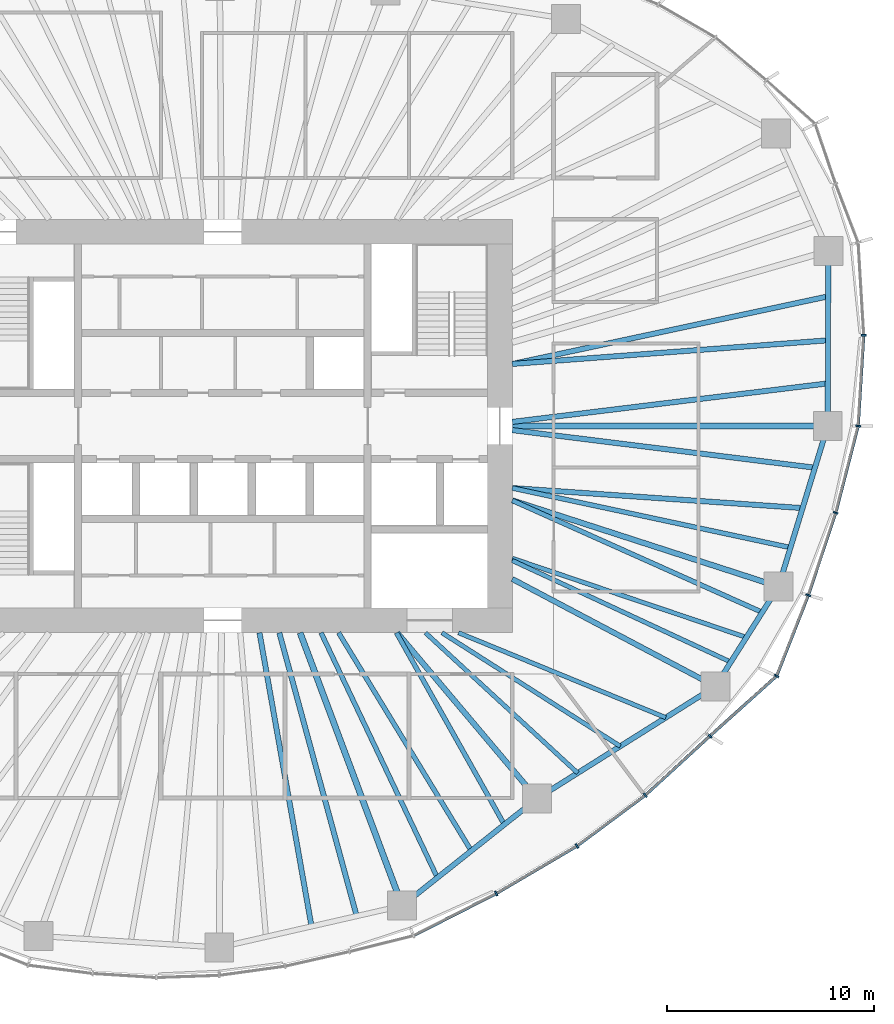
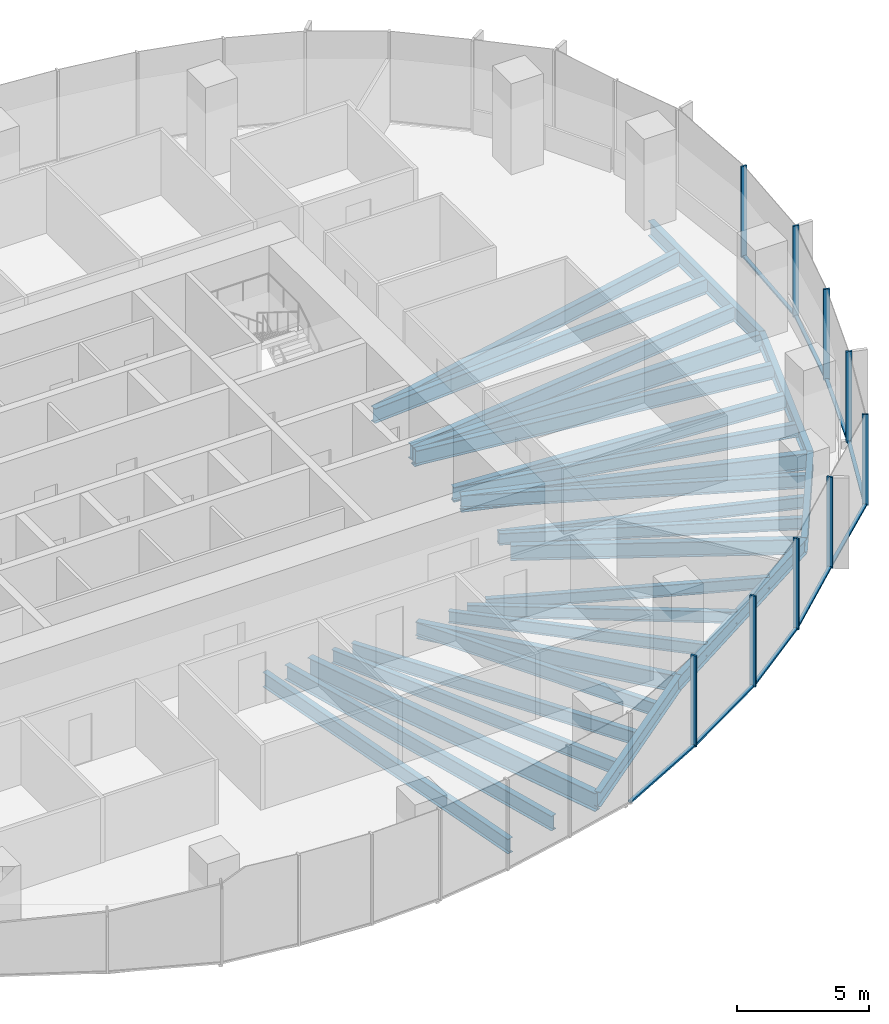
# One storey, part 4 of 18: 27 beams, 18 members, 5 elements without a shape of their own.
"""IFC4 building model written with IfcOpenShell, lengths in metres."""

import ifcopenshell
import ifcopenshell.guid

model = None  # the IFC model being written
_history = None  # IfcOwnerHistory: only IFC2X3 demands one
_inside = {}  # id of a spatial element -> (the spatial element, [elements in it])
_under = {}  # id of a project, library or spatial element -> (it, [spatial elements below it])
_declared = {}  # id of a project -> (the project, [libraries it declares])
_typed = {}  # id of a type object -> (the type object, [elements of that type])
_made_of = {}  # id of a material, layer set ... -> (it, [elements and type objects made of it])


def new_model(schema):
    """Start an empty IFC model of exactly this schema.

    Asked for "IFC4X3", IfcOpenShell would pick the latest addendum, in which some entities
    have other attributes; the version numbers below select the first issue.
    IFC2X3 requires an IfcOwnerHistory on every rooted entity: one is made here for all.
    """
    global model, _history
    if schema == "IFC4X3":
        model = ifcopenshell.file(schema_version=(4, 3, 0, 0))
    else:
        model = ifcopenshell.file(schema=schema)
    _inside.clear()
    _under.clear()
    _declared.clear()
    _typed.clear()
    _made_of.clear()
    _history = None
    if model.schema == "IFC2X3":
        org = make("IfcOrganization", Name="unknown")
        user = make(
            "IfcPersonAndOrganization",
            ThePerson=make("IfcPerson", FamilyName="unknown"),
            TheOrganization=org,
        )
        app = make(
            "IfcApplication",
            ApplicationDeveloper=org,
            Version="unknown",
            ApplicationFullName="unknown",
            ApplicationIdentifier="unknown",
        )
        _history = make(
            "IfcOwnerHistory",
            OwningUser=user,
            OwningApplication=app,
            ChangeAction="ADDED",
            CreationDate=0,
        )
    return model


def make(cls, **values):
    """One entity of the class cls with the attributes given. An attribute that is None is left unset."""
    return model.create_entity(
        cls, **{name: value for name, value in values.items() if value is not None}
    )


def rooted(cls, **values):
    """An entity with a GlobalId (a new one), such as an element, a storey or a relation."""
    return make(cls, GlobalId=ifcopenshell.guid.new(), OwnerHistory=_history, **values)


def si_unit(unit_type, name, prefix=None):
    """IfcSIUnit, for example si_unit("LENGTHUNIT", "METRE", prefix="MILLI")."""
    return make("IfcSIUnit", UnitType=unit_type, Prefix=prefix, Name=name)


def assignment(units):
    """IfcUnitAssignment: the units of a project."""
    return None if units is None else make("IfcUnitAssignment", Units=units)


def point(xyz):
    """IfcCartesianPoint."""
    return None if xyz is None else make("IfcCartesianPoint", Coordinates=xyz)


def direction(xyz):
    """IfcDirection."""
    return None if xyz is None else make("IfcDirection", DirectionRatios=xyz)


def frame(location, z_axis=None, x_axis=None):
    """IfcAxis2Placement3D, a coordinate frame: its origin and axes. An axis left out is left unset."""
    return make(
        "IfcAxis2Placement3D",
        Location=point(location),
        Axis=direction(z_axis),
        RefDirection=direction(x_axis),
    )


def frame_2d(location, x_axis=None):
    """IfcAxis2Placement2D, a coordinate frame in the plane: its origin and x axis."""
    return make(
        "IfcAxis2Placement2D", Location=point(location), RefDirection=direction(x_axis)
    )


def origin():
    """The frame at (0, 0, 0) with its axes left unset."""
    return frame((0.0, 0.0, 0.0))


def origin_2d():
    """The frame at (0, 0) in the plane with its x axis left unset."""
    return frame_2d((0.0, 0.0))


def place(relative_to, where):
    """IfcLocalPlacement: puts the frame where relative to a parent placement (None: the world)."""
    return make(
        "IfcLocalPlacement", PlacementRelTo=relative_to, RelativePlacement=where
    )


def context(
    kind, dimensions, precision=None, world=None, true_north=None, identifier=None
):
    """IfcGeometricRepresentationContext, for example the 3D "Model" context."""
    return make(
        "IfcGeometricRepresentationContext",
        ContextIdentifier=identifier,
        ContextType=kind,
        CoordinateSpaceDimension=dimensions,
        Precision=precision,
        WorldCoordinateSystem=world,
        TrueNorth=true_north,
    )


def subcontext(parent, identifier, kind, view, scale=None):
    """IfcGeometricRepresentationSubContext, for example "Body" below "Model"."""
    return make(
        "IfcGeometricRepresentationSubContext",
        ContextIdentifier=identifier,
        ContextType=kind,
        ParentContext=parent,
        TargetScale=scale,
        TargetView=view,
    )


def project(units=None, contexts=None):
    """IfcProject with its units and contexts."""
    return rooted(
        "IfcProject",
        Name="project",
        RepresentationContexts=contexts,
        UnitsInContext=assignment(units),
    )


def spatial(cls, under=None, at=None, **own):
    """A site, building, storey or space (cls), placed at a placement, below another one or the project."""
    s = rooted(cls, ObjectPlacement=at, **own)
    if under is not None:
        _under.setdefault(under.id(), (under, []))[1].append(s)
    return s


def profile(cls, at=None, kind="AREA", **sizes):
    """A parametric profile (cls). Its sizes go by their IFC names, for example OverallWidth=200.0."""
    return make(cls, ProfileType=kind, Position=at, **sizes)


def rectangle(**sizes):
    """IfcRectangleProfileDef."""
    return profile("IfcRectangleProfileDef", **sizes)


def i_section(**sizes):
    """IfcIShapeProfileDef."""
    return profile("IfcIShapeProfileDef", **sizes)


def extrude(swept, where, along, depth):
    """IfcExtrudedAreaSolid: the profile swept, set in the frame where, extruded along a direction by depth."""
    return make(
        "IfcExtrudedAreaSolid",
        SweptArea=swept,
        Position=where,
        ExtrudedDirection=direction(along),
        Depth=depth,
    )


def shape(context_of_items, identifier, shape_type, items):
    """IfcShapeRepresentation: the items that make up one representation, for example the "Body"."""
    return make(
        "IfcShapeRepresentation",
        ContextOfItems=context_of_items,
        RepresentationIdentifier=identifier,
        RepresentationType=shape_type,
        Items=items,
    )


def material(Name=None, Category=None):
    """IfcMaterial."""
    return make("IfcMaterial", Name=Name, Category=Category)


def material_profile(
    of_material, cross_section, Name=None, Category=None, Priority=None
):
    """IfcMaterialProfile: a cross section and its material."""
    return make(
        "IfcMaterialProfile",
        Name=Name,
        Material=of_material,
        Profile=cross_section,
        Priority=Priority,
        Category=Category,
    )


def profile_set(profiles, Name=None, composite=None):
    """IfcMaterialProfileSet."""
    return make(
        "IfcMaterialProfileSet",
        Name=Name,
        MaterialProfiles=profiles,
        CompositeProfile=composite,
    )


def made_of(thing, what):
    """Note that an element or type object is made of a material, layer set ...; save() writes the relation."""
    if what is not None:
        _made_of.setdefault(what.id(), (what, []))[1].append(thing)
    return thing


def type_object(cls, material=None, **own):
    """A type object (cls), such as IfcWallType, which elements share."""
    return made_of(rooted(cls, **own), material)


def element(
    cls,
    number,
    at=None,
    inside=None,
    cuts=None,
    type_object=None,
    material=None,
    context=None,
    identifier="Body",
    shape_type=None,
    held_by="IfcProductDefinitionShape",
    body=None,
    shapes=None,
    **own,
):
    """One element of the class cls, such as IfcWall. Its Tag is "e" and its number.

    at: its placement. inside: the storey or other place that contains it. cuts: it is an
    opening in that element (IfcRelVoidsElement). A single representation is given by context,
    identifier, shape_type and body (its items); several are given by shapes. held_by: the class
    of the entity that holds the representations. save() writes the other relations.
    """
    e = rooted(cls, Tag="e%d" % number, ObjectPlacement=at, **own)
    if body is not None:
        shapes = [shape(context, identifier, shape_type, body)]
    if shapes is not None:
        e.Representation = make(held_by, Representations=shapes)
    if inside is not None:
        _inside.setdefault(inside.id(), (inside, []))[1].append(e)
    if cuts is not None:
        rooted(
            "IfcRelVoidsElement", RelatingBuildingElement=cuts, RelatedOpeningElement=e
        )
    if type_object is not None:
        _typed.setdefault(type_object.id(), (type_object, []))[1].append(e)
    return made_of(e, material)


def aggregate(whole, parts):
    """IfcRelAggregates: a whole, such as a stair, and the parts it consists of."""
    return rooted("IfcRelAggregates", RelatingObject=whole, RelatedObjects=parts)


def save(model, path):
    """Write the relations noted so far, then the file.

    IfcRelAggregates (storeys below a building ...), IfcRelContainedInSpatialStructure (elements
    in a storey), IfcRelDefinesByType, IfcRelAssociatesMaterial and IfcRelDeclares: one each for
    every whole, place, type object, material and project.
    """
    for whole, parts in _under.values():
        aggregate(whole, parts)
    for where, things in _inside.values():
        rooted(
            "IfcRelContainedInSpatialStructure",
            RelatedElements=things,
            RelatingStructure=where,
        )
    for kind, things in _typed.values():
        rooted("IfcRelDefinesByType", RelatedObjects=things, RelatingType=kind)
    for what, things in _made_of.values():
        rooted("IfcRelAssociatesMaterial", RelatedObjects=things, RelatingMaterial=what)
    for by, libraries in _declared.values():
        rooted("IfcRelDeclares", RelatingContext=by, RelatedDefinitions=libraries)
    model.write(path)


model = new_model("IFC4")

# Units and contexts
model_context = context("Model", 3, precision=1e-05, world=origin(), true_north=direction((0.0, 1.0)))
body_context = subcontext(model_context, "Body", "Model", "MODEL_VIEW")
ifc_project = project(units=[si_unit("LENGTHUNIT", "METRE"), si_unit("AREAUNIT", "SQUARE_METRE"), si_unit("VOLUMEUNIT", "CUBIC_METRE"), si_unit("PLANEANGLEUNIT", "RADIAN"), si_unit("MASSUNIT", "GRAM", prefix="KILO")], contexts=[model_context])

# Site, building, storey
site_placement = place(None, origin())
site = spatial("IfcSite", under=ifc_project, at=site_placement, CompositionType="ELEMENT")
building_placement = place(site_placement, origin())
building = spatial("IfcBuilding", under=site, at=building_placement, Name="Ghaith Harvest Tower", CompositionType="ELEMENT")
storey_placement = place(building_placement, frame((0.0, 0.0, 147.0)))
storey = spatial("IfcBuildingStorey", under=building, at=storey_placement, Name="L31", CompositionType="ELEMENT", Elevation=147.0)

# Curtain wall, members
ifc_material_1 = material(Name="Black anodised aluminium and fritted glass", Category="aluminium")
curtain_wall_type = type_object("IfcCurtainWallType", Name="CW-L CURTAIN WALL", PredefinedType="NOTDEFINED", material=ifc_material_1)
curtain_wall_1_placement = place(storey_placement, origin())
curtain_wall_1 = element("IfcCurtainWall", 1, at=curtain_wall_1_placement, inside=storey, type_object=curtain_wall_type, Name="Curtain wall CW-L bay 01 L31", PredefinedType="NOTDEFINED")
ifc_material_2 = material(Name="Aluminium, black anodised", Category="aluminium")
ifc_material_profile_1 = material_profile(ifc_material_2, rectangle(XDim=0.080078125, YDim=0.239990234375, at=origin_2d()), Name="CW-L MULLION 80x240")
ifc_profile_set_1 = profile_set([ifc_material_profile_1], Name="Aluminium, black anodised")
member_type_1 = type_object("IfcMemberType", Name="CW-L MULLION 80x240", PredefinedType="MULLION", material=ifc_profile_set_1)
member_1_placement = place(storey_placement, frame((30.728759765625, 0.0, 0.0), z_axis=(0.0, 0.0, 1.0), x_axis=(0.155597142981, 0.987820595602, 0.0)))
member_1 = element("IfcMember", 2, at=member_1_placement, type_object=member_type_1, Name="CW-L mullion 1 bay 01 L31", PredefinedType="MULLION", context=body_context, shape_type="SweptSolid", body=[
    extrude(rectangle(XDim=0.080078125, YDim=0.239990234375, at=origin_2d()), origin(), (0.0, 0.0, 1.0), 4.199951171875),
])
member_2_placement = place(storey_placement, frame((30.998779296875, 4.389892578125, 0.0), z_axis=(0.0, 0.0, 1.0), x_axis=(-0.000162467394, 0.999999986802, 0.0)))
member_2 = element("IfcMember", 3, at=member_2_placement, type_object=member_type_1, Name="CW-L mullion 2 bay 01 L31", PredefinedType="MULLION", context=body_context, shape_type="SweptSolid", body=[
    extrude(rectangle(XDim=0.080078125, YDim=0.239990234375, at=origin_2d()), origin(), (0.0, 0.0, 1.0), 4.199951171875),
])

# Curtain wall, member
curtain_wall_2_placement = place(storey_placement, origin())
curtain_wall_2 = element("IfcCurtainWall", 4, at=curtain_wall_2_placement, inside=storey, type_object=curtain_wall_type, Name="Curtain wall CW-L bay 17 L31", PredefinedType="NOTDEFINED")
member_3_placement = place(storey_placement, frame((13.224365234375, -22.614013671875, 0.0), z_axis=(0.0, 0.0, 1.0), x_axis=(0.876898762173, 0.480675109507, 0.0)))
member_3 = element("IfcMember", 5, at=member_3_placement, type_object=member_type_1, Name="CW-L mullion 2 bay 17 L31", PredefinedType="MULLION", context=body_context, shape_type="SweptSolid", body=[
    extrude(rectangle(XDim=0.080078125, YDim=0.239990234375, at=origin_2d()), origin(), (0.0, 0.0, 1.0), 4.199951171875),
])

# Curtain wall, members
curtain_wall_3_placement = place(storey_placement, origin())
curtain_wall_3 = element("IfcCurtainWall", 6, at=curtain_wall_3_placement, inside=storey, type_object=curtain_wall_type, Name="Curtain wall CW-L bay 18 L31", PredefinedType="NOTDEFINED")
member_4_placement = place(storey_placement, frame((17.1318359375, -20.31591796875, 0.0), z_axis=(0.0, 0.0, 1.0), x_axis=(0.834887453241, 0.550420694035, 0.0)))
member_4 = element("IfcMember", 7, at=member_4_placement, type_object=member_type_1, Name="CW-L mullion 1 bay 18 L31", PredefinedType="MULLION", context=body_context, shape_type="SweptSolid", body=[
    extrude(rectangle(XDim=0.080078125, YDim=0.239990234375, at=origin_2d()), origin(), (0.0, 0.0, 1.0), 4.199951171875),
])
member_5_placement = place(storey_placement, frame((20.4296875, -17.86376953125, 0.0), z_axis=(0.0, 0.0, 1.0), x_axis=(0.770306399656, 0.637673937564, 0.0)))
member_5 = element("IfcMember", 8, at=member_5_placement, type_object=member_type_1, Name="CW-L mullion 2 bay 18 L31", PredefinedType="MULLION", context=body_context, shape_type="SweptSolid", body=[
    extrude(rectangle(XDim=0.080078125, YDim=0.239990234375, at=origin_2d()), origin(), (0.0, 0.0, 1.0), 4.199951171875),
])

curtain_wall_4_placement = place(storey_placement, origin())
curtain_wall_4 = element("IfcCurtainWall", 9, at=curtain_wall_4_placement, inside=storey, type_object=curtain_wall_type, Name="Curtain wall CW-L bay 19 L31", PredefinedType="NOTDEFINED")
member_6_placement = place(storey_placement, frame((23.560546875, -14.994140625, 0.0), z_axis=(0.0, 0.0, 1.0), x_axis=(0.740389054945, 0.672178582906, 0.0)))
member_6 = element("IfcMember", 10, at=member_6_placement, type_object=member_type_1, Name="CW-L mullion 1 bay 19 L31", PredefinedType="MULLION", context=body_context, shape_type="SweptSolid", body=[
    extrude(rectangle(XDim=0.080078125, YDim=0.239990234375, at=origin_2d()), origin(), (0.0, 0.0, 1.0), 4.199951171875),
])
member_7_placement = place(storey_placement, frame((26.786376953125, -12.0927734375, 0.0), z_axis=(0.0, 0.0, 1.0), x_axis=(0.572853476908, 0.819657790785, 0.0)))
member_7 = element("IfcMember", 11, at=member_7_placement, type_object=member_type_1, Name="CW-L mullion 2 bay 19 L31", PredefinedType="MULLION", context=body_context, shape_type="SweptSolid", body=[
    extrude(rectangle(XDim=0.080078125, YDim=0.239990234375, at=origin_2d()), origin(), (0.0, 0.0, 1.0), 4.199951171875),
])

curtain_wall_5_placement = place(storey_placement, origin())
curtain_wall_5 = element("IfcCurtainWall", 12, at=curtain_wall_5_placement, inside=storey, type_object=curtain_wall_type, Name="Curtain wall CW-L bay 20 L31", PredefinedType="NOTDEFINED")
member_8_placement = place(storey_placement, frame((28.319580078125, -8.184814453125, 0.0), z_axis=(0.0, 0.0, 1.0), x_axis=(0.34057402484, 0.94021770543, 0.0)))
member_8 = element("IfcMember", 13, at=member_8_placement, type_object=member_type_1, Name="CW-L mullion 1 bay 20 L31", PredefinedType="MULLION", context=body_context, shape_type="SweptSolid", body=[
    extrude(rectangle(XDim=0.080078125, YDim=0.239990234375, at=origin_2d()), origin(), (0.0, 0.0, 1.0), 4.199951171875),
])
member_9_placement = place(storey_placement, frame((29.64599609375, -4.1982421875, 0.0), z_axis=(0.0, 0.0, 1.0), x_axis=(0.282375140161, 0.959304060358, 0.0)))
member_9 = element("IfcMember", 14, at=member_9_placement, type_object=member_type_1, Name="CW-L mullion 2 bay 20 L31", PredefinedType="MULLION", context=body_context, shape_type="SweptSolid", body=[
    extrude(rectangle(XDim=0.080078125, YDim=0.239990234375, at=origin_2d()), origin(), (0.0, 0.0, 1.0), 4.199951171875),
])

# Member
ifc_material_3 = material(Name="Aluminium, black anodised", Category="aluminium")
ifc_material_profile_2 = material_profile(ifc_material_3, rectangle(XDim=0.14990234375, YDim=0.080078125, at=origin_2d()), Name="CW-L TRANSOM 150x80")
ifc_profile_set_2 = profile_set([ifc_material_profile_2], Name="Aluminium, black anodised")
member_type_2 = type_object("IfcMemberType", Name="CW-L TRANSOM 150x80", PredefinedType="USERDEFINED", material=ifc_profile_set_2)
member_10_placement = place(storey_placement, frame((30.731201171875, 0.0400390625, 0.0400390625), z_axis=(0.061403204251, 0.99811304295, 0.0), x_axis=(-0.99811304295, 0.061403204251, 0.0)))
member_10 = element("IfcMember", 15, at=member_10_placement, type_object=member_type_2, Name="CW-L transom 1 bay 01 L31", ObjectType="TRANSOM", PredefinedType="USERDEFINED", context=body_context, shape_type="SweptSolid", body=[
    extrude(rectangle(XDim=0.14990234375, YDim=0.080078125, at=origin_2d()), origin(), (0.0, 0.0, 1.0), 4.31787109375),
])

aggregate(curtain_wall_1, [member_1, member_10, member_2])

member_11_placement = place(storey_placement, frame((9.25244140625, -24.636474609375, 0.0400390625), z_axis=(0.891120044719, 0.453767634258, 0.0), x_axis=(-0.453767634258, 0.891120044719, 0.0)))
member_11 = element("IfcMember", 16, at=member_11_placement, type_object=member_type_2, Name="CW-L transom 1 bay 17 L31", ObjectType="TRANSOM", PredefinedType="USERDEFINED", context=body_context, shape_type="SweptSolid", body=[
    extrude(rectangle(XDim=0.14990234375, YDim=0.080078125, at=origin_2d()), origin(), (0.0, 0.0, 1.0), 4.417236328125),
])

member_12_placement = place(storey_placement, frame((13.259033203125, -22.59375, 0.0400390625), z_axis=(0.86196381091, 0.506969810424, 0.0), x_axis=(-0.506969810424, 0.86196381091, 0.0)))
member_12 = element("IfcMember", 17, at=member_12_placement, type_object=member_type_2, Name="CW-L transom 2 bay 17 L31", ObjectType="TRANSOM", PredefinedType="USERDEFINED", context=body_context, shape_type="SweptSolid", body=[
    extrude(rectangle(XDim=0.14990234375, YDim=0.080078125, at=origin_2d()), origin(), (0.0, 0.0, 1.0), 4.453125),
])

aggregate(curtain_wall_2, [member_11, member_3, member_12])

member_13_placement = place(storey_placement, frame((17.1640625, -20.2919921875, 0.0400390625), z_axis=(0.802465316609, 0.59669876457, 0.0), x_axis=(-0.59669876457, 0.802465316609, 0.0)))
member_13 = element("IfcMember", 18, at=member_13_placement, type_object=member_type_2, Name="CW-L transom 1 bay 18 L31", ObjectType="TRANSOM", PredefinedType="USERDEFINED", context=body_context, shape_type="SweptSolid", body=[
    extrude(rectangle(XDim=0.14990234375, YDim=0.080078125, at=origin_2d()), origin(), (0.0, 0.0, 1.0), 4.029296875),
])

member_14_placement = place(storey_placement, frame((20.459228515625, -17.836669921875, 0.0400390625), z_axis=(0.737197916434, 0.675676869521, 0.0), x_axis=(-0.675676869521, 0.737197916434, 0.0)))
member_14 = element("IfcMember", 19, at=member_14_placement, type_object=member_type_2, Name="CW-L transom 2 bay 18 L31", ObjectType="TRANSOM", PredefinedType="USERDEFINED", context=body_context, shape_type="SweptSolid", body=[
    extrude(rectangle(XDim=0.14990234375, YDim=0.080078125, at=origin_2d()), origin(), (0.0, 0.0, 1.0), 4.166748046875),
])

aggregate(curtain_wall_3, [member_4, member_13, member_5, member_14])

member_15_placement = place(storey_placement, frame((23.59033203125, -14.967529296875, 0.0400390625), z_axis=(0.74346800111, 0.668771509056, 0.0), x_axis=(-0.668771509056, 0.74346800111, 0.0)))
member_15 = element("IfcMember", 20, at=member_15_placement, type_object=member_type_2, Name="CW-L transom 1 bay 19 L31", ObjectType="TRANSOM", PredefinedType="USERDEFINED", context=body_context, shape_type="SweptSolid", body=[
    extrude(rectangle(XDim=0.14990234375, YDim=0.080078125, at=origin_2d()), origin(), (0.0, 0.0, 1.0), 4.2587890625),
])

member_16_placement = place(storey_placement, frame((26.801025390625, -12.055419921875, 0.0400390625), z_axis=(0.365228588652, 0.930917868575, 0.0), x_axis=(-0.930917868575, 0.365228588652, 0.0)))
member_16 = element("IfcMember", 21, at=member_16_placement, type_object=member_type_2, Name="CW-L transom 2 bay 19 L31", ObjectType="TRANSOM", PredefinedType="USERDEFINED", context=body_context, shape_type="SweptSolid", body=[
    extrude(rectangle(XDim=0.14990234375, YDim=0.080078125, at=origin_2d()), origin(), (0.0, 0.0, 1.0), 4.11767578125),
])

aggregate(curtain_wall_4, [member_6, member_15, member_7, member_16])

member_17_placement = place(storey_placement, frame((28.33203125, -8.14697265625, 0.0400390625), z_axis=(0.315712391444, 0.948854934059, 0.0), x_axis=(-0.948854934059, 0.315712391444, 0.0)))
member_17 = element("IfcMember", 22, at=member_17_placement, type_object=member_type_2, Name="CW-L transom 1 bay 20 L31", ObjectType="TRANSOM", PredefinedType="USERDEFINED", context=body_context, shape_type="SweptSolid", body=[
    extrude(rectangle(XDim=0.14990234375, YDim=0.080078125, at=origin_2d()), origin(), (0.0, 0.0, 1.0), 4.12158203125),
])

member_18_placement = place(storey_placement, frame((29.656005859375, -4.159423828125, 0.0400390625), z_axis=(0.249737470584, 0.968313583395, 0.0), x_axis=(-0.968313583395, 0.249737470584, 0.0)))
member_18 = element("IfcMember", 23, at=member_18_placement, type_object=member_type_2, Name="CW-L transom 2 bay 20 L31", ObjectType="TRANSOM", PredefinedType="USERDEFINED", context=body_context, shape_type="SweptSolid", body=[
    extrude(rectangle(XDim=0.14990234375, YDim=0.080078125, at=origin_2d()), origin(), (0.0, 0.0, 1.0), 4.25537109375),
])

aggregate(curtain_wall_5, [member_8, member_17, member_9, member_18])

# Beams
ifc_material_4 = material(Name="Steel ASTM A992 Grade 50", Category="steel")
ifc_material_profile_3 = material_profile(ifc_material_4, i_section(OverallWidth=0.25390625, OverallDepth=0.68408203125, WebThickness=0.012451171875, FlangeThickness=0.018798828125, at=origin_2d()), Name="W690X140")
ifc_profile_set_3 = profile_set([ifc_material_profile_3], Name="Steel ASTM A992 Grade 50")
beam_type_1 = type_object("IfcBeamType", Name="E690-140 W690X140", PredefinedType="SPANDREL", material=ifc_profile_set_3)
beam_1_placement = place(storey_placement, frame((29.259033203125, 0.0, -0.511962890625), z_axis=(0.003172847394, 0.999994966507, 0.0), x_axis=(-0.999994966507, 0.003172847394, 0.0)))
element("IfcBeam", 24, at=beam_1_placement, inside=storey, type_object=beam_type_1, Name="Edge beam E01 L31", PredefinedType="SPANDREL", context=body_context, shape_type="SweptSolid", body=[
    extrude(i_section(OverallWidth=0.25390625, OverallDepth=0.68408203125, WebThickness=0.012451171875, FlangeThickness=0.018798828125, at=origin_2d()), origin(), (0.0, 0.0, 1.0), 8.464111328125),
])
beam_2_placement = place(storey_placement, frame((8.674072265625, -23.202880859375, -0.511962890625), z_axis=(0.783159540917, 0.621820821033, 0.0), x_axis=(-0.621820821033, 0.783159540917, 0.0)))
element("IfcBeam", 25, at=beam_2_placement, inside=storey, type_object=beam_type_1, Name="Edge beam E17 L31", PredefinedType="SPANDREL", context=body_context, shape_type="SweptSolid", body=[
    extrude(i_section(OverallWidth=0.25390625, OverallDepth=0.68408203125, WebThickness=0.012451171875, FlangeThickness=0.018798828125, at=origin_2d()), origin(), (0.0, 0.0, 1.0), 8.330322265625),
])
beam_3_placement = place(storey_placement, frame((15.197998046875, -18.02294921875, -0.511962890625), z_axis=(0.846385185363, 0.532571232793, 0.0), x_axis=(-0.532571232793, 0.846385185363, 0.0)))
element("IfcBeam", 26, at=beam_3_placement, inside=storey, type_object=beam_type_1, Name="Edge beam E18 L31", PredefinedType="SPANDREL", context=body_context, shape_type="SweptSolid", body=[
    extrude(i_section(OverallWidth=0.25390625, OverallDepth=0.68408203125, WebThickness=0.012451171875, FlangeThickness=0.018798828125, at=origin_2d()), origin(), (0.0, 0.0, 1.0), 10.19384765625),
])
beam_4_placement = place(storey_placement, frame((23.825927734375, -12.593994140625, -0.511962890625), z_axis=(0.534499624093, 0.845168712059, 0.0), x_axis=(-0.845168712059, 0.534499624093, 0.0)))
element("IfcBeam", 27, at=beam_4_placement, inside=storey, type_object=beam_type_1, Name="Edge beam E19 L31", PredefinedType="SPANDREL", context=body_context, shape_type="SweptSolid", body=[
    extrude(i_section(OverallWidth=0.25390625, OverallDepth=0.68408203125, WebThickness=0.012451171875, FlangeThickness=0.018798828125, at=origin_2d()), origin(), (0.0, 0.0, 1.0), 5.7099609375),
])
beam_5_placement = place(storey_placement, frame((26.8779296875, -7.76806640625, -0.511962890625), z_axis=(0.293065809375, 0.956092271371, 0.0), x_axis=(-0.956092271371, 0.293065809375, 0.0)))
element("IfcBeam", 28, at=beam_5_placement, inside=storey, type_object=beam_type_1, Name="Edge beam E20 L31", PredefinedType="SPANDREL", context=body_context, shape_type="SweptSolid", body=[
    extrude(i_section(OverallWidth=0.25390625, OverallDepth=0.68408203125, WebThickness=0.012451171875, FlangeThickness=0.018798828125, at=origin_2d()), origin(), (0.0, 0.0, 1.0), 8.124755859375),
])
ifc_material_5 = material(Name="Steel ASTM A992 Grade 50", Category="steel")
ifc_material_profile_4 = material_profile(ifc_material_5, i_section(OverallWidth=0.256103515625, OverallDepth=0.693115234375, WebThickness=0.014404296875, FlangeThickness=0.023681640625, at=origin_2d()), Name="W690X170")
ifc_profile_set_4 = profile_set([ifc_material_profile_4], Name="Steel ASTM A992 Grade 50")
beam_type_2 = type_object("IfcBeamType", Name="G690-170 W690X170", PredefinedType="BEAM", material=ifc_profile_set_4)
beam_6_placement = place(storey_placement, frame((14.0, -7.39990234375, -0.5166015625), z_axis=(0.884080549082, -0.467334551189, 0.0), x_axis=(0.467334551189, 0.884080549082, 0.0)))
element("IfcBeam", 29, at=beam_6_placement, inside=storey, type_object=beam_type_2, Name="Radial girder G19 L31", PredefinedType="BEAM", context=body_context, shape_type="SweptSolid", body=[
    extrude(i_section(OverallWidth=0.256103515625, OverallDepth=0.693115234375, WebThickness=0.014404296875, FlangeThickness=0.023681640625, at=origin_2d()), origin(), (0.0, 0.0, 1.0), 11.1142578125),
])
ifc_material_6 = material(Name="Steel ASTM A992 Grade 50", Category="steel")
ifc_material_profile_5 = material_profile(ifc_material_6, i_section(OverallWidth=0.26806640625, OverallDepth=0.77001953125, WebThickness=0.015625, FlangeThickness=0.025390625, at=origin_2d()), Name="W760X196")
ifc_profile_set_5 = profile_set([ifc_material_profile_5], Name="Steel ASTM A992 Grade 50")
beam_type_3 = type_object("IfcBeamType", Name="G760-196 W760X196", PredefinedType="BEAM", material=ifc_profile_set_5)
beam_7_placement = place(storey_placement, frame((8.4326171875, -10.0, -0.554931640625), z_axis=(0.644649240595, -0.764478486682, 0.0), x_axis=(0.764478486682, 0.644649240595, 0.0)))
element("IfcBeam", 30, at=beam_7_placement, inside=storey, type_object=beam_type_3, Name="Radial girder G18 L31", PredefinedType="BEAM", context=body_context, shape_type="SweptSolid", body=[
    extrude(i_section(OverallWidth=0.26806640625, OverallDepth=0.77001953125, WebThickness=0.015625, FlangeThickness=0.025390625, at=origin_2d()), origin(), (0.0, 0.0, 1.0), 10.49462890625),
])
beam_8_placement = place(storey_placement, frame((14.0, -3.60009765625, -0.554931640625), z_axis=(0.951410331565, -0.307925934262, 0.0), x_axis=(0.307925934262, 0.951410331565, 0.0)))
element("IfcBeam", 31, at=beam_8_placement, inside=storey, type_object=beam_type_3, Name="Radial girder G20 L31", PredefinedType="BEAM", context=body_context, shape_type="SweptSolid", body=[
    extrude(i_section(OverallWidth=0.26806640625, OverallDepth=0.77001953125, WebThickness=0.015625, FlangeThickness=0.025390625, at=origin_2d()), origin(), (0.0, 0.0, 1.0), 13.53564453125),
])
ifc_material_7 = material(Name="Steel ASTM A992 Grade 50", Category="steel")
ifc_material_profile_6 = material_profile(ifc_material_7, i_section(OverallWidth=0.2939453125, OverallDepth=0.85107421875, WebThickness=0.01611328125, FlangeThickness=0.02685546875, at=origin_2d()), Name="W840X226")
ifc_profile_set_6 = profile_set([ifc_material_profile_6], Name="Steel ASTM A992 Grade 50")
beam_type_4 = type_object("IfcBeamType", Name="G840-226 W840X226", PredefinedType="BEAM", material=ifc_profile_set_6)
beam_9_placement = place(storey_placement, frame((14.0, 0.0, -0.595458984375), z_axis=(1.0, 0.0, 0.0), x_axis=(0.0, 1.0, 0.0)))
element("IfcBeam", 32, at=beam_9_placement, inside=storey, type_object=beam_type_4, Name="Radial girder G01 L31", PredefinedType="BEAM", context=body_context, shape_type="SweptSolid", body=[
    extrude(i_section(OverallWidth=0.2939453125, OverallDepth=0.85107421875, WebThickness=0.01611328125, FlangeThickness=0.02685546875, at=origin_2d()), origin(), (0.0, 0.0, 1.0), 15.259033203125),
])
beam_10_placement = place(storey_placement, frame((3.73828125, -10.0, -0.595458984375), z_axis=(0.350172283717, -0.936685310932, 0.0), x_axis=(0.936685310932, 0.350172283717, 0.0)))
element("IfcBeam", 33, at=beam_10_placement, inside=storey, type_object=beam_type_4, Name="Radial girder G17 L31", PredefinedType="BEAM", context=body_context, shape_type="SweptSolid", body=[
    extrude(i_section(OverallWidth=0.2939453125, OverallDepth=0.85107421875, WebThickness=0.01611328125, FlangeThickness=0.02685546875, at=origin_2d()), origin(), (0.0, 0.0, 1.0), 14.09521484375),
])
ifc_material_8 = material(Name="Steel ASTM A992 Grade 50", Category="steel")
ifc_material_profile_7 = material_profile(ifc_material_8, i_section(OverallWidth=0.2109375, OverallDepth=0.5390625, WebThickness=0.01171875, FlangeThickness=0.018798828125, at=origin_2d()), Name="W530X109")
ifc_profile_set_7 = profile_set([ifc_material_profile_7], Name="Steel ASTM A992 Grade 50")
beam_type_5 = type_object("IfcBeamType", Name="J530-109 W530X109", PredefinedType="JOIST", material=ifc_profile_set_7)
beam_11_placement = place(storey_placement, frame((9.800048828125, -10.0, -0.439453125), z_axis=(0.735441512033, -0.677588210035, 0.0), x_axis=(0.677588210035, 0.735441512033, 0.0)))
element("IfcBeam", 34, at=beam_11_placement, inside=storey, type_object=beam_type_5, Name="Joist J18.1 L31", PredefinedType="JOIST", context=body_context, shape_type="SweptSolid", body=[
    extrude(i_section(OverallWidth=0.2109375, OverallDepth=0.5390625, WebThickness=0.01171875, FlangeThickness=0.018798828125, at=origin_2d()), origin(), (0.0, 0.0, 1.0), 10.01416015625),
])
beam_12_placement = place(storey_placement, frame((10.60009765625, -10.0, -0.439453125), z_axis=(0.843584777848, -0.536996017288, 0.0), x_axis=(0.536996017288, 0.843584777848, 0.0)))
element("IfcBeam", 35, at=beam_12_placement, inside=storey, type_object=beam_type_5, Name="Joist J18.2 L31", PredefinedType="JOIST", context=body_context, shape_type="SweptSolid", body=[
    extrude(i_section(OverallWidth=0.2109375, OverallDepth=0.5390625, WebThickness=0.01171875, FlangeThickness=0.018798828125, at=origin_2d()), origin(), (0.0, 0.0, 1.0), 10.22314453125),
])
beam_13_placement = place(storey_placement, frame((11.39990234375, -10.0, -0.439453125), z_axis=(0.925406878607, -0.378975077053, 0.0), x_axis=(0.378975077053, 0.925406878607, 0.0)))
element("IfcBeam", 36, at=beam_13_placement, inside=storey, type_object=beam_type_5, Name="Joist J18.3 L31", PredefinedType="JOIST", context=body_context, shape_type="SweptSolid", body=[
    extrude(i_section(OverallWidth=0.2109375, OverallDepth=0.5390625, WebThickness=0.01171875, FlangeThickness=0.018798828125, at=origin_2d()), origin(), (0.0, 0.0, 1.0), 10.83251953125),
])
beam_14_placement = place(storey_placement, frame((14.0, -6.506103515625, -0.439453125), z_axis=(0.906863188232, -0.421425150922, 0.0), x_axis=(0.421425150922, 0.906863188232, 0.0)))
element("IfcBeam", 37, at=beam_14_placement, inside=storey, type_object=beam_type_5, Name="Joist J19.1 L31", PredefinedType="JOIST", context=body_context, shape_type="SweptSolid", body=[
    extrude(i_section(OverallWidth=0.2109375, OverallDepth=0.5390625, WebThickness=0.01171875, FlangeThickness=0.018798828125, at=origin_2d()), origin(), (0.0, 0.0, 1.0), 11.6552734375),
])
beam_15_placement = place(storey_placement, frame((14.0, -6.39990234375, -0.439453125), z_axis=(0.947372072272, -0.320134591508, 0.0), x_axis=(0.320134591508, 0.947372072272, 0.0)))
element("IfcBeam", 38, at=beam_15_placement, inside=storey, type_object=beam_type_5, Name="Joist J19.2 L31", PredefinedType="JOIST", context=body_context, shape_type="SweptSolid", body=[
    extrude(i_section(OverallWidth=0.2109375, OverallDepth=0.5390625, WebThickness=0.01171875, FlangeThickness=0.018798828125, at=origin_2d()), origin(), (0.0, 0.0, 1.0), 11.95263671875),
])
ifc_material_9 = material(Name="Steel ASTM A992 Grade 50", Category="steel")
ifc_material_profile_8 = material_profile(ifc_material_9, i_section(OverallWidth=0.22900390625, OverallDepth=0.612060546875, WebThickness=0.011962890625, FlangeThickness=0.01953125, at=origin_2d()), Name="W610X125")
ifc_profile_set_8 = profile_set([ifc_material_profile_8], Name="Steel ASTM A992 Grade 50")
beam_type_6 = type_object("IfcBeamType", Name="J610-125 W610X125", PredefinedType="JOIST", material=ifc_profile_set_8)
beam_16_placement = place(storey_placement, frame((4.75, -10.0, -0.47607421875), z_axis=(0.429062888327, -0.903274619294, 0.0), x_axis=(0.903274619294, 0.429062888327, 0.0)))
element("IfcBeam", 39, at=beam_16_placement, inside=storey, type_object=beam_type_6, Name="Joist J17.1 L31", PredefinedType="JOIST", context=body_context, shape_type="SweptSolid", body=[
    extrude(i_section(OverallWidth=0.22900390625, OverallDepth=0.612060546875, WebThickness=0.011962890625, FlangeThickness=0.01953125, at=origin_2d()), origin(), (0.0, 0.0, 1.0), 13.118408203125),
])
beam_17_placement = place(storey_placement, frame((5.60009765625, -10.0, -0.47607421875), z_axis=(0.51969412955, -0.854352393167, 0.0), x_axis=(0.854352393167, 0.51969412955, 0.0)))
element("IfcBeam", 40, at=beam_17_placement, inside=storey, type_object=beam_type_6, Name="Joist J17.2 L31", PredefinedType="JOIST", context=body_context, shape_type="SweptSolid", body=[
    extrude(i_section(OverallWidth=0.22900390625, OverallDepth=0.612060546875, WebThickness=0.011962890625, FlangeThickness=0.01953125, at=origin_2d()), origin(), (0.0, 0.0, 1.0), 12.34716796875),
])
beam_18_placement = place(storey_placement, frame((8.39990234375, -10.0, -0.47607421875), z_axis=(0.489936713337, -0.871758003648, 0.0), x_axis=(0.871758003648, 0.489936713337, 0.0)))
element("IfcBeam", 41, at=beam_18_placement, inside=storey, type_object=beam_type_6, Name="Joist J17.3 L31", PredefinedType="JOIST", context=body_context, shape_type="SweptSolid", body=[
    extrude(i_section(OverallWidth=0.22900390625, OverallDepth=0.612060546875, WebThickness=0.011962890625, FlangeThickness=0.01953125, at=origin_2d()), origin(), (0.0, 0.0, 1.0), 10.64501953125),
])
beam_19_placement = place(storey_placement, frame((14.0, -3.60009765625, -0.47607421875), z_axis=(0.912738327266, -0.408544668231, 0.0), x_axis=(0.408544668231, 0.912738327266, 0.0)))
element("IfcBeam", 42, at=beam_19_placement, inside=storey, type_object=beam_type_6, Name="Joist J19.3 L31", PredefinedType="JOIST", context=body_context, shape_type="SweptSolid", body=[
    extrude(i_section(OverallWidth=0.22900390625, OverallDepth=0.612060546875, WebThickness=0.011962890625, FlangeThickness=0.01953125, at=origin_2d()), origin(), (0.0, 0.0, 1.0), 13.247314453125),
])
beam_20_placement = place(storey_placement, frame((14.0, -3.0, -0.47607421875), z_axis=(0.97783433664, -0.209380061343, 0.0), x_axis=(0.209380061343, 0.97783433664, 0.0)))
element("IfcBeam", 43, at=beam_20_placement, inside=storey, type_object=beam_type_6, Name="Joist J20.1 L31", PredefinedType="JOIST", context=body_context, shape_type="SweptSolid", body=[
    extrude(i_section(OverallWidth=0.22900390625, OverallDepth=0.612060546875, WebThickness=0.011962890625, FlangeThickness=0.01953125, at=origin_2d()), origin(), (0.0, 0.0, 1.0), 13.76123046875),
])
ifc_material_10 = material(Name="Steel ASTM A992 Grade 50", Category="steel")
ifc_material_profile_9 = material_profile(ifc_material_10, i_section(OverallWidth=0.25390625, OverallDepth=0.68408203125, WebThickness=0.012451171875, FlangeThickness=0.018798828125, at=origin_2d()), Name="W690X140")
ifc_profile_set_9 = profile_set([ifc_material_profile_9], Name="Steel ASTM A992 Grade 50")
beam_type_7 = type_object("IfcBeamType", Name="J690-140 W690X140", PredefinedType="JOIST", material=ifc_profile_set_9)
beam_21_placement = place(storey_placement, frame((14.0, 0.199951171875, -0.511962890625), z_axis=(0.992642759881, 0.121079937462, 0.0), x_axis=(-0.121079937462, 0.992642759881, 0.0)))
element("IfcBeam", 44, at=beam_21_placement, inside=storey, type_object=beam_type_7, Name="Joist J01.1 L31", PredefinedType="JOIST", context=body_context, shape_type="SweptSolid", body=[
    extrude(i_section(OverallWidth=0.25390625, OverallDepth=0.68408203125, WebThickness=0.012451171875, FlangeThickness=0.018798828125, at=origin_2d()), origin(), (0.0, 0.0, 1.0), 15.378662109375),
])
beam_22_placement = place(storey_placement, frame((14.0, 3.0, -0.511962890625), z_axis=(0.997200052902, 0.074780040735, 0.0), x_axis=(-0.074780040735, 0.997200052902, 0.0)))
element("IfcBeam", 45, at=beam_22_placement, inside=storey, type_object=beam_type_7, Name="Joist J01.2 L31", PredefinedType="JOIST", context=body_context, shape_type="SweptSolid", body=[
    extrude(i_section(OverallWidth=0.25390625, OverallDepth=0.68408203125, WebThickness=0.012451171875, FlangeThickness=0.018798828125, at=origin_2d()), origin(), (0.0, 0.0, 1.0), 15.315185546875),
])
beam_23_placement = place(storey_placement, frame((14.0, 3.0, -0.511962890625), z_axis=(0.977833271545, 0.209385035425, 0.0), x_axis=(-0.209385035425, 0.977833271545, 0.0)))
element("IfcBeam", 46, at=beam_23_placement, inside=storey, type_object=beam_type_7, Name="Joist J01.3 L31", PredefinedType="JOIST", context=body_context, shape_type="SweptSolid", body=[
    extrude(i_section(OverallWidth=0.25390625, OverallDepth=0.68408203125, WebThickness=0.012451171875, FlangeThickness=0.018798828125, at=origin_2d()), origin(), (0.0, 0.0, 1.0), 15.62548828125),
])
beam_24_placement = place(storey_placement, frame((1.772705078125, -10.0, -0.511962890625), z_axis=(0.174552818486, -0.98464781194, 0.0), x_axis=(0.98464781194, 0.174552818486, 0.0)))
element("IfcBeam", 47, at=beam_24_placement, inside=storey, type_object=beam_type_7, Name="Joist J16.2 L31", PredefinedType="JOIST", context=body_context, shape_type="SweptSolid", body=[
    extrude(i_section(OverallWidth=0.25390625, OverallDepth=0.68408203125, WebThickness=0.012451171875, FlangeThickness=0.018798828125, at=origin_2d()), origin(), (0.0, 0.0, 1.0), 14.42578125),
])
beam_25_placement = place(storey_placement, frame((2.73095703125, -10.0, -0.511962890625), z_axis=(0.263463446032, -0.964669379946, 0.0), x_axis=(0.964669379946, 0.263463446032, 0.0)))
element("IfcBeam", 48, at=beam_25_placement, inside=storey, type_object=beam_type_7, Name="Joist J16.3 L31", PredefinedType="JOIST", context=body_context, shape_type="SweptSolid", body=[
    extrude(i_section(OverallWidth=0.25390625, OverallDepth=0.68408203125, WebThickness=0.012451171875, FlangeThickness=0.018798828125, at=origin_2d()), origin(), (0.0, 0.0, 1.0), 14.20751953125),
])
beam_26_placement = place(storey_placement, frame((14.0, -3.0, -0.511962890625), z_axis=(0.997616678907, -0.068999724397, 0.0), x_axis=(0.068999724397, 0.997616678907, 0.0)))
element("IfcBeam", 49, at=beam_26_placement, inside=storey, type_object=beam_type_7, Name="Joist J20.2 L31", PredefinedType="JOIST", context=body_context, shape_type="SweptSolid", body=[
    extrude(i_section(OverallWidth=0.25390625, OverallDepth=0.68408203125, WebThickness=0.012451171875, FlangeThickness=0.018798828125, at=origin_2d()), origin(), (0.0, 0.0, 1.0), 14.0751953125),
])
beam_27_placement = place(storey_placement, frame((14.0, -0.199951171875, -0.511962890625), z_axis=(0.992379127816, -0.123222021874, 0.0), x_axis=(0.123222021874, 0.992379127816, 0.0)))
element("IfcBeam", 50, at=beam_27_placement, inside=storey, type_object=beam_type_7, Name="Joist J20.3 L31", PredefinedType="JOIST", context=body_context, shape_type="SweptSolid", body=[
    extrude(i_section(OverallWidth=0.25390625, OverallDepth=0.68408203125, WebThickness=0.012451171875, FlangeThickness=0.018798828125, at=origin_2d()), origin(), (0.0, 0.0, 1.0), 14.7529296875),
])

save(model, "model.ifc")
